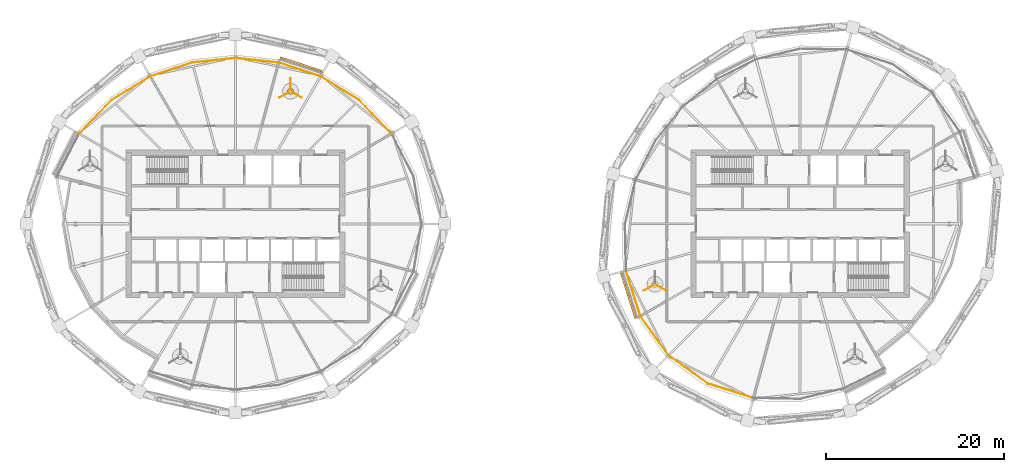
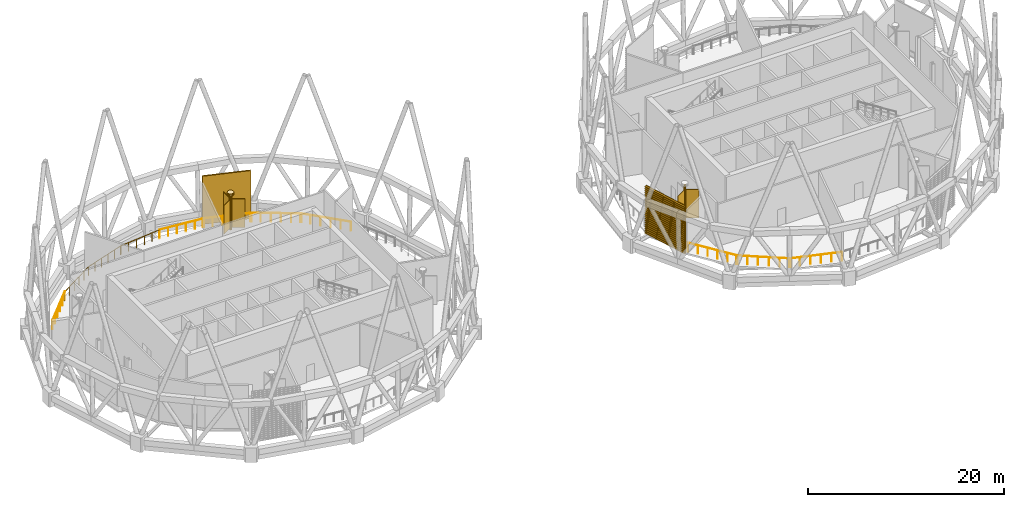
# One storey, part 18 of 22: 12 railings, 8 coverings, 2 shading devices.
"""IFC4 building model written with IfcOpenShell, lengths in metres."""

from ifc_helpers import new_model, si_unit, direction, frame, origin, origin_2d, place, context, subcontext, project, spatial, polyline, circle, outline, extrude, material, material_profile, profile_set, type_object, element, save


model = new_model("IFC4")

# Units and contexts
model_context = context("Model", 3, precision=1e-05, world=origin(), true_north=direction((0.0, 1.0)))
body_context = subcontext(model_context, "Body", "Model", "MODEL_VIEW")
ifc_project = project(units=[si_unit("LENGTHUNIT", "METRE"), si_unit("AREAUNIT", "SQUARE_METRE"), si_unit("VOLUMEUNIT", "CUBIC_METRE"), si_unit("PLANEANGLEUNIT", "RADIAN"), si_unit("MASSUNIT", "GRAM", prefix="KILO")], contexts=[model_context])

# Site, building, storey
site_placement = place(None, origin())
site = spatial("IfcSite", under=ifc_project, at=site_placement, CompositionType="ELEMENT")
building_placement = place(site_placement, origin())
building = spatial("IfcBuilding", under=site, at=building_placement, Name="Rimbun Link Towers", CompositionType="ELEMENT")
storey_placement = place(building_placement, frame((0.0, 0.0, 204.5)))
storey = spatial("IfcBuildingStorey", under=building, at=storey_placement, Name="L50", CompositionType="ELEMENT", Elevation=204.5)

# Railings
ifc_material_1 = material(Name="Stainless steel grade 316", Category="steel")
railing_type = type_object("IfcRailingType", Name="GUARD stainless rail and posts", PredefinedType="GUARDRAIL", material=ifc_material_1)
railing_1_placement = place(storey_placement, frame((-17.860595703125, 13.954833984375, 0.0)))
element("IfcRailing", 1, at=railing_1_placement, inside=storey, type_object=railing_type, Name="GUARD open storey edge", PredefinedType="GUARDRAIL", context=body_context, shape_type="SweptSolid", body=[
    extrude(circle(Radius=0.02392578125, at=origin_2d()), frame((0.0, 0.0, 1.076171875), z_axis=(0.692067218589, -0.721833058923, 0.0), x_axis=(0.721833058923, 0.692067218589, 0.0)), (0.0, 0.0, 1.0), 5.339599609375),
    extrude(circle(Radius=0.02099609375, at=origin_2d()), origin(), (0.0, 0.0, 1.0), 1.052001953125),
    extrude(circle(Radius=0.02099609375, at=origin_2d()), frame((0.739013671875, -0.770751953125, 0.0)), (0.0, 0.0, 1.0), 1.052001953125),
    extrude(circle(Radius=0.02099609375, at=origin_2d()), frame((1.47802734375, -1.541748046875, 0.0)), (0.0, 0.0, 1.0), 1.052001953125),
    extrude(circle(Radius=0.02099609375, at=origin_2d()), frame((2.21728515625, -2.3125, 0.0)), (0.0, 0.0, 1.0), 1.052001953125),
    extrude(circle(Radius=0.02099609375, at=origin_2d()), frame((2.956298828125, -3.08349609375, 0.0)), (0.0, 0.0, 1.0), 1.052001953125),
    extrude(circle(Radius=0.02099609375, at=origin_2d()), frame((3.6953125, -3.854248046875, 0.0)), (0.0, 0.0, 1.0), 1.052001953125),
])
railing_2_placement = place(storey_placement, frame((-22.216796875, 16.6044921875, 0.0)))
element("IfcRailing", 2, at=railing_2_placement, inside=storey, type_object=railing_type, Name="GUARD open storey edge", PredefinedType="GUARDRAIL", context=body_context, shape_type="SweptSolid", body=[
    extrude(circle(Radius=0.02392578125, at=origin_2d()), frame((0.0, 0.0, 1.076171875), z_axis=(0.852178220995, -0.523251640859, 0.0), x_axis=(0.523251640859, 0.852178220995, 0.0)), (0.0, 0.0, 1.0), 5.1875),
    extrude(circle(Radius=0.02099609375, at=origin_2d()), origin(), (0.0, 0.0, 1.0), 1.052001953125),
    extrude(circle(Radius=0.02099609375, at=origin_2d()), frame((0.884033203125, -0.54296875, 0.0)), (0.0, 0.0, 1.0), 1.052001953125),
    extrude(circle(Radius=0.02099609375, at=origin_2d()), frame((1.768310546875, -1.085693359375, 0.0)), (0.0, 0.0, 1.0), 1.052001953125),
    extrude(circle(Radius=0.02099609375, at=origin_2d()), frame((2.65234375, -1.628662109375, 0.0)), (0.0, 0.0, 1.0), 1.052001953125),
    extrude(circle(Radius=0.02099609375, at=origin_2d()), frame((3.53662109375, -2.17138671875, 0.0)), (0.0, 0.0, 1.0), 1.052001953125),
    extrude(circle(Radius=0.02099609375, at=origin_2d()), frame((4.420654296875, -2.71435546875, 0.0)), (0.0, 0.0, 1.0), 1.052001953125),
])
railing_3_placement = place(storey_placement, frame((-31.7958984375, 18.645751953125, 0.0)))
element("IfcRailing", 3, at=railing_3_placement, inside=storey, type_object=railing_type, Name="GUARD open storey edge", PredefinedType="GUARDRAIL", context=body_context, shape_type="SweptSolid", body=[
    extrude(circle(Radius=0.02392578125, at=origin_2d()), frame((0.0, 0.0, 1.076171875), z_axis=(0.994500344599, -0.104733302211, 0.0), x_axis=(0.104733302211, 0.994500344599, 0.0)), (0.0, 0.0, 1.0), 4.976806640625),
    extrude(circle(Radius=0.02099609375, at=origin_2d()), origin(), (0.0, 0.0, 1.0), 1.052001953125),
    extrude(circle(Radius=0.02099609375, at=origin_2d()), frame((0.989990234375, -0.104248046875, 0.0)), (0.0, 0.0, 1.0), 1.052001953125),
    extrude(circle(Radius=0.02099609375, at=origin_2d()), frame((1.979736328125, -0.20849609375, 0.0)), (0.0, 0.0, 1.0), 1.052001953125),
    extrude(circle(Radius=0.02099609375, at=origin_2d()), frame((2.9697265625, -0.312744140625, 0.0)), (0.0, 0.0, 1.0), 1.052001953125),
    extrude(circle(Radius=0.02099609375, at=origin_2d()), frame((3.95947265625, -0.4169921875, 0.0)), (0.0, 0.0, 1.0), 1.052001953125),
    extrude(circle(Radius=0.02099609375, at=origin_2d()), frame((4.949462890625, -0.521240234375, 0.0)), (0.0, 0.0, 1.0), 1.052001953125),
])
railing_4_placement = place(storey_placement, frame((-36.653564453125, 18.12451171875, 0.0)))
element("IfcRailing", 4, at=railing_4_placement, inside=storey, type_object=railing_type, Name="GUARD open storey edge", PredefinedType="GUARDRAIL", context=body_context, shape_type="SweptSolid", body=[
    extrude(circle(Radius=0.02392578125, at=origin_2d()), frame((0.0, 0.0, 1.076171875), z_axis=(0.994500344599, 0.104733302211, 0.0), x_axis=(-0.104733302211, 0.994500344599, 0.0)), (0.0, 0.0, 1.0), 4.976806640625),
    extrude(circle(Radius=0.02099609375, at=origin_2d()), origin(), (0.0, 0.0, 1.0), 1.052001953125),
    extrude(circle(Radius=0.02099609375, at=origin_2d()), frame((0.989990234375, 0.104248046875, 0.0)), (0.0, 0.0, 1.0), 1.052001953125),
    extrude(circle(Radius=0.02099609375, at=origin_2d()), frame((1.979736328125, 0.20849609375, 0.0)), (0.0, 0.0, 1.0), 1.052001953125),
    extrude(circle(Radius=0.02099609375, at=origin_2d()), frame((2.9697265625, 0.312744140625, 0.0)), (0.0, 0.0, 1.0), 1.052001953125),
    extrude(circle(Radius=0.02099609375, at=origin_2d()), frame((3.95947265625, 0.4169921875, 0.0)), (0.0, 0.0, 1.0), 1.052001953125),
    extrude(circle(Radius=0.02099609375, at=origin_2d()), frame((4.949462890625, 0.521240234375, 0.0)), (0.0, 0.0, 1.0), 1.052001953125),
])
railing_5_placement = place(storey_placement, frame((-41.3623046875, 16.55859375, 0.0)))
element("IfcRailing", 5, at=railing_5_placement, inside=storey, type_object=railing_type, Name="GUARD open storey edge", PredefinedType="GUARDRAIL", context=body_context, shape_type="SweptSolid", body=[
    extrude(circle(Radius=0.02392578125, at=origin_2d()), frame((0.0, 0.0, 1.076171875), z_axis=(0.949246983251, 0.314531659438, 0.0), x_axis=(-0.314531659438, 0.949246983251, 0.0)), (0.0, 0.0, 1.0), 5.053955078125),
    extrude(circle(Radius=0.02099609375, at=origin_2d()), origin(), (0.0, 0.0, 1.0), 1.052001953125),
    extrude(circle(Radius=0.02099609375, at=origin_2d()), frame((0.95947265625, 0.31787109375, 0.0)), (0.0, 0.0, 1.0), 1.052001953125),
    extrude(circle(Radius=0.02099609375, at=origin_2d()), frame((1.9189453125, 0.6357421875, 0.0)), (0.0, 0.0, 1.0), 1.052001953125),
    extrude(circle(Radius=0.02099609375, at=origin_2d()), frame((2.87841796875, 0.953857421875, 0.0)), (0.0, 0.0, 1.0), 1.052001953125),
    extrude(circle(Radius=0.02099609375, at=origin_2d()), frame((3.837890625, 1.271728515625, 0.0)), (0.0, 0.0, 1.0), 1.052001953125),
    extrude(circle(Radius=0.02099609375, at=origin_2d()), frame((4.79736328125, 1.589599609375, 0.0)), (0.0, 0.0, 1.0), 1.052001953125),
])
railing_6_placement = place(storey_placement, frame((-45.703857421875, 13.89013671875, 0.0)))
element("IfcRailing", 6, at=railing_6_placement, inside=storey, type_object=railing_type, Name="GUARD open storey edge", PredefinedType="GUARDRAIL", context=body_context, shape_type="SweptSolid", body=[
    extrude(circle(Radius=0.02392578125, at=origin_2d()), frame((0.0, 0.0, 1.076171875), z_axis=(0.852178220995, 0.523251640859, 0.0), x_axis=(-0.523251640859, 0.852178220995, 0.0)), (0.0, 0.0, 1.0), 5.1875),
    extrude(circle(Radius=0.02099609375, at=origin_2d()), origin(), (0.0, 0.0, 1.0), 1.052001953125),
    extrude(circle(Radius=0.02099609375, at=origin_2d()), frame((0.884033203125, 0.54296875, 0.0)), (0.0, 0.0, 1.0), 1.052001953125),
    extrude(circle(Radius=0.02099609375, at=origin_2d()), frame((1.768310546875, 1.085693359375, 0.0)), (0.0, 0.0, 1.0), 1.052001953125),
    extrude(circle(Radius=0.02099609375, at=origin_2d()), frame((2.65234375, 1.628662109375, 0.0)), (0.0, 0.0, 1.0), 1.052001953125),
    extrude(circle(Radius=0.02099609375, at=origin_2d()), frame((3.53662109375, 2.17138671875, 0.0)), (0.0, 0.0, 1.0), 1.052001953125),
    extrude(circle(Radius=0.02099609375, at=origin_2d()), frame((4.420654296875, 2.71435546875, 0.0)), (0.0, 0.0, 1.0), 1.052001953125),
])
railing_7_placement = place(storey_placement, frame((-49.334716796875, 10.1005859375, 0.0)))
element("IfcRailing", 7, at=railing_7_placement, inside=storey, type_object=railing_type, Name="GUARD open storey edge", PredefinedType="GUARDRAIL", context=body_context, shape_type="SweptSolid", body=[
    extrude(circle(Radius=0.02392578125, at=origin_2d()), frame((0.0, 0.0, 1.076171875), z_axis=(0.692067218589, 0.721833058923, 0.0), x_axis=(-0.721833058923, 0.692067218589, 0.0)), (0.0, 0.0, 1.0), 5.339599609375),
    extrude(circle(Radius=0.02099609375, at=origin_2d()), origin(), (0.0, 0.0, 1.0), 1.052001953125),
    extrude(circle(Radius=0.02099609375, at=origin_2d()), frame((0.739013671875, 0.770751953125, 0.0)), (0.0, 0.0, 1.0), 1.052001953125),
    extrude(circle(Radius=0.02099609375, at=origin_2d()), frame((1.47802734375, 1.541748046875, 0.0)), (0.0, 0.0, 1.0), 1.052001953125),
    extrude(circle(Radius=0.02099609375, at=origin_2d()), frame((2.21728515625, 2.3125, 0.0)), (0.0, 0.0, 1.0), 1.052001953125),
    extrude(circle(Radius=0.02099609375, at=origin_2d()), frame((2.956298828125, 3.08349609375, 0.0)), (0.0, 0.0, 1.0), 1.052001953125),
    extrude(circle(Radius=0.02099609375, at=origin_2d()), frame((3.6953125, 3.854248046875, 0.0)), (0.0, 0.0, 1.0), 1.052001953125),
])
railing_8_placement = place(storey_placement, frame((-26.93505859375, 18.148193359375, 0.0)))
element("IfcRailing", 8, at=railing_8_placement, inside=storey, type_object=railing_type, Name="GUARD slot edge", PredefinedType="GUARDRAIL", context=body_context, shape_type="SweptSolid", body=[
    extrude(circle(Radius=0.02392578125, at=origin_2d()), frame((0.0, 0.0, 1.076171875), z_axis=(0.949246983251, -0.314531659438, 0.0), x_axis=(0.314531659438, 0.949246983251, 0.0)), (0.0, 0.0, 1.0), 5.053955078125),
    extrude(circle(Radius=0.02099609375, at=origin_2d()), origin(), (0.0, 0.0, 1.0), 1.052001953125),
    extrude(circle(Radius=0.02099609375, at=origin_2d()), frame((0.95947265625, -0.31787109375, 0.0)), (0.0, 0.0, 1.0), 1.052001953125),
    extrude(circle(Radius=0.02099609375, at=origin_2d()), frame((1.9189453125, -0.6357421875, 0.0)), (0.0, 0.0, 1.0), 1.052001953125),
    extrude(circle(Radius=0.02099609375, at=origin_2d()), frame((2.87841796875, -0.953857421875, 0.0)), (0.0, 0.0, 1.0), 1.052001953125),
    extrude(circle(Radius=0.02099609375, at=origin_2d()), frame((3.837890625, -1.271728515625, 0.0)), (0.0, 0.0, 1.0), 1.052001953125),
    extrude(circle(Radius=0.02099609375, at=origin_2d()), frame((4.79736328125, -1.589599609375, 0.0)), (0.0, 0.0, 1.0), 1.052001953125),
])
railing_9_placement = place(storey_placement, frame((16.986083984375, -14.828369140625, 0.0)))
element("IfcRailing", 9, at=railing_9_placement, inside=storey, type_object=railing_type, Name="GUARD open storey edge", PredefinedType="GUARDRAIL", context=body_context, shape_type="SweptSolid", body=[
    extrude(circle(Radius=0.02392578125, at=origin_2d()), frame((0.0, 0.0, 1.076171875), z_axis=(-0.583006671691, 0.812467365968, 0.0), x_axis=(-0.812467365968, -0.583006671691, 0.0)), (0.0, 0.0, 1.0), 5.53271484375),
    extrude(circle(Radius=0.02099609375, at=origin_2d()), origin(), (0.0, 0.0, 1.0), 1.052001953125),
    extrude(circle(Radius=0.02099609375, at=origin_2d()), frame((-0.64501953125, 0.89892578125, 0.0)), (0.0, 0.0, 1.0), 1.052001953125),
    extrude(circle(Radius=0.02099609375, at=origin_2d()), frame((-1.290283203125, 1.798095703125, 0.0)), (0.0, 0.0, 1.0), 1.052001953125),
    extrude(circle(Radius=0.02099609375, at=origin_2d()), frame((-1.935302734375, 2.697021484375, 0.0)), (0.0, 0.0, 1.0), 1.052001953125),
    extrude(circle(Radius=0.02099609375, at=origin_2d()), frame((-2.58056640625, 3.59619140625, 0.0)), (0.0, 0.0, 1.0), 1.052001953125),
    extrude(circle(Radius=0.02099609375, at=origin_2d()), frame((-3.2255859375, 4.4951171875, 0.0)), (0.0, 0.0, 1.0), 1.052001953125),
])
railing_10_placement = place(storey_placement, frame((21.416748046875, -17.989501953125, 0.0)))
element("IfcRailing", 10, at=railing_10_placement, inside=storey, type_object=railing_type, Name="GUARD open storey edge", PredefinedType="GUARDRAIL", context=body_context, shape_type="SweptSolid", body=[
    extrude(circle(Radius=0.02392578125, at=origin_2d()), frame((0.0, 0.0, 1.076171875), z_axis=(-0.812467365968, 0.583006671691, 0.0), x_axis=(-0.583006671691, -0.812467365968, 0.0)), (0.0, 0.0, 1.0), 5.53271484375),
    extrude(circle(Radius=0.02099609375, at=origin_2d()), origin(), (0.0, 0.0, 1.0), 1.052001953125),
    extrude(circle(Radius=0.02099609375, at=origin_2d()), frame((-0.89892578125, 0.64501953125, 0.0)), (0.0, 0.0, 1.0), 1.052001953125),
    extrude(circle(Radius=0.02099609375, at=origin_2d()), frame((-1.798095703125, 1.290283203125, 0.0)), (0.0, 0.0, 1.0), 1.052001953125),
    extrude(circle(Radius=0.02099609375, at=origin_2d()), frame((-2.697021484375, 1.935302734375, 0.0)), (0.0, 0.0, 1.0), 1.052001953125),
    extrude(circle(Radius=0.02099609375, at=origin_2d()), frame((-3.59619140625, 2.58056640625, 0.0)), (0.0, 0.0, 1.0), 1.052001953125),
    extrude(circle(Radius=0.02099609375, at=origin_2d()), frame((-4.4951171875, 3.2255859375, 0.0)), (0.0, 0.0, 1.0), 1.052001953125),
])
railing_11_placement = place(storey_placement, frame((26.5458984375, -19.60009765625, 0.0)))
element("IfcRailing", 11, at=railing_11_placement, inside=storey, type_object=railing_type, Name="GUARD open storey edge", PredefinedType="GUARDRAIL", context=body_context, shape_type="SweptSolid", body=[
    extrude(circle(Radius=0.02392578125, at=origin_2d()), frame((0.0, 0.0, 1.076171875), z_axis=(-0.952966255781, 0.303076418322, 0.0), x_axis=(-0.303076418322, -0.952966255781, 0.0)), (0.0, 0.0, 1.0), 5.46484375),
    extrude(circle(Radius=0.02099609375, at=origin_2d()), origin(), (0.0, 0.0, 1.0), 1.052001953125),
    extrude(circle(Radius=0.02099609375, at=origin_2d()), frame((-1.04150390625, 0.331298828125, 0.0)), (0.0, 0.0, 1.0), 1.052001953125),
    extrude(circle(Radius=0.02099609375, at=origin_2d()), frame((-2.0830078125, 0.66259765625, 0.0)), (0.0, 0.0, 1.0), 1.052001953125),
    extrude(circle(Radius=0.02099609375, at=origin_2d()), frame((-3.124755859375, 0.99365234375, 0.0)), (0.0, 0.0, 1.0), 1.052001953125),
    extrude(circle(Radius=0.02099609375, at=origin_2d()), frame((-4.166259765625, 1.324951171875, 0.0)), (0.0, 0.0, 1.0), 1.052001953125),
    extrude(circle(Radius=0.02099609375, at=origin_2d()), frame((-5.207763671875, 1.65625, 0.0)), (0.0, 0.0, 1.0), 1.052001953125),
])
railing_12_placement = place(storey_placement, frame((13.80615234375, -10.411865234375, 0.0)))
element("IfcRailing", 12, at=railing_12_placement, inside=storey, type_object=railing_type, Name="GUARD slot edge", PredefinedType="GUARDRAIL", context=body_context, shape_type="SweptSolid", body=[
    extrude(circle(Radius=0.02392578125, at=origin_2d()), frame((0.0, 0.0, 1.076171875), z_axis=(-0.303076418322, 0.952966255781, 0.0), x_axis=(-0.952966255781, -0.303076418322, 0.0)), (0.0, 0.0, 1.0), 5.46484375),
    extrude(circle(Radius=0.02099609375, at=origin_2d()), origin(), (0.0, 0.0, 1.0), 1.052001953125),
    extrude(circle(Radius=0.02099609375, at=origin_2d()), frame((-0.331298828125, 1.04150390625, 0.0)), (0.0, 0.0, 1.0), 1.052001953125),
    extrude(circle(Radius=0.02099609375, at=origin_2d()), frame((-0.66259765625, 2.0830078125, 0.0)), (0.0, 0.0, 1.0), 1.052001953125),
    extrude(circle(Radius=0.02099609375, at=origin_2d()), frame((-0.99365234375, 3.124755859375, 0.0)), (0.0, 0.0, 1.0), 1.052001953125),
    extrude(circle(Radius=0.02099609375, at=origin_2d()), frame((-1.324951171875, 4.166259765625, 0.0)), (0.0, 0.0, 1.0), 1.052001953125),
    extrude(circle(Radius=0.02099609375, at=origin_2d()), frame((-1.65625, 5.207763671875, 0.0)), (0.0, 0.0, 1.0), 1.052001953125),
])

# Shading devices
ifc_material_2 = material(Name="Aluminium 6063-T6", Category="aluminium")
ifc_material_profile = material_profile(ifc_material_2, outline(polyline([(0.123046875, 0.0), (0.1630859375, 0.0), (0.1630859375, 0.10009765625), (0.363037109375, 0.10009765625), (0.363037109375, 0.199951171875), (0.1630859375, 0.199951171875), (0.1630859375, 0.35009765625), (0.363037109375, 0.35009765625), (0.363037109375, 0.449951171875), (0.1630859375, 0.449951171875), (0.1630859375, 0.60009765625), (0.363037109375, 0.60009765625), (0.363037109375, 0.699951171875), (0.1630859375, 0.699951171875), (0.1630859375, 0.85009765625), (0.363037109375, 0.85009765625), (0.363037109375, 0.949951171875), (0.1630859375, 0.949951171875), (0.1630859375, 1.10009765625), (0.363037109375, 1.10009765625), (0.363037109375, 1.199951171875), (0.1630859375, 1.199951171875), (0.1630859375, 1.35009765625), (0.363037109375, 1.35009765625), (0.363037109375, 1.449951171875), (0.1630859375, 1.449951171875), (0.1630859375, 1.60009765625), (0.363037109375, 1.60009765625), (0.363037109375, 1.699951171875), (0.1630859375, 1.699951171875), (0.1630859375, 1.85009765625), (0.363037109375, 1.85009765625), (0.363037109375, 1.949951171875), (0.1630859375, 1.949951171875), (0.1630859375, 2.10009765625), (0.363037109375, 2.10009765625), (0.363037109375, 2.199951171875), (0.1630859375, 2.199951171875), (0.1630859375, 2.35009765625), (0.363037109375, 2.35009765625), (0.363037109375, 2.449951171875), (0.1630859375, 2.449951171875), (0.1630859375, 2.60009765625), (0.363037109375, 2.60009765625), (0.363037109375, 2.699951171875), (0.1630859375, 2.699951171875), (0.1630859375, 2.85009765625), (0.363037109375, 2.85009765625), (0.363037109375, 2.949951171875), (0.1630859375, 2.949951171875), (0.1630859375, 3.10009765625), (0.363037109375, 3.10009765625), (0.363037109375, 3.199951171875), (0.1630859375, 3.199951171875), (0.1630859375, 3.35009765625), (0.363037109375, 3.35009765625), (0.363037109375, 3.449951171875), (0.1630859375, 3.449951171875), (0.1630859375, 3.60009765625), (0.363037109375, 3.60009765625), (0.363037109375, 3.699951171875), (0.1630859375, 3.699951171875), (0.1630859375, 3.85009765625), (0.363037109375, 3.85009765625), (0.363037109375, 3.949951171875), (0.1630859375, 3.949951171875), (0.1630859375, 4.10009765625), (0.363037109375, 4.10009765625), (0.363037109375, 4.199951171875), (0.1630859375, 4.199951171875), (0.1630859375, 4.35009765625), (0.363037109375, 4.35009765625), (0.363037109375, 4.449951171875), (0.1630859375, 4.449951171875), (0.1630859375, 4.60009765625), (0.363037109375, 4.60009765625), (0.363037109375, 4.699951171875), (0.1630859375, 4.699951171875), (0.1630859375, 4.85009765625), (0.363037109375, 4.85009765625), (0.363037109375, 4.949951171875), (0.1630859375, 4.949951171875), (0.1630859375, 5.10009765625), (0.363037109375, 5.10009765625), (0.363037109375, 5.199951171875), (0.1630859375, 5.199951171875), (0.1630859375, 5.35009765625), (0.363037109375, 5.35009765625), (0.363037109375, 5.449951171875), (0.1630859375, 5.449951171875), (0.1630859375, 5.60009765625), (0.363037109375, 5.60009765625), (0.363037109375, 5.699951171875), (0.1630859375, 5.699951171875), (0.1630859375, 5.85009765625), (0.363037109375, 5.85009765625), (0.363037109375, 5.949951171875), (0.1630859375, 5.949951171875), (0.1630859375, 6.0), (0.123046875, 6.0), (0.123046875, 0.0)])), Name="LOUVRE BLADES 100X240")
ifc_profile_set = profile_set([ifc_material_profile], Name="Aluminium 6063-T6")
shading_device_type = type_object("IfcShadingDeviceType", Name="LOUVRE SLOT BLADES 100X240 H6000", PredefinedType="JALOUSIE", material=ifc_profile_set)
shading_device_1_placement = place(storey_placement, frame((-26.800537109375, 18.471435546875, 0.0), z_axis=(0.949227778646, -0.314589612425, 0.0), x_axis=(0.314589612425, 0.949227778646, 0.0)))
element("IfcShadingDevice", 13, at=shading_device_1_placement, inside=storey, type_object=shading_device_type, Name="LOUVRE slot blades", PredefinedType="JALOUSIE", context=body_context, shape_type="SweptSolid", body=[
    extrude(outline(polyline([(0.123046875, 0.0), (0.1630859375, 0.0), (0.1630859375, 0.10009765625), (0.363037109375, 0.10009765625), (0.363037109375, 0.199951171875), (0.1630859375, 0.199951171875), (0.1630859375, 0.35009765625), (0.363037109375, 0.35009765625), (0.363037109375, 0.449951171875), (0.1630859375, 0.449951171875), (0.1630859375, 0.60009765625), (0.363037109375, 0.60009765625), (0.363037109375, 0.699951171875), (0.1630859375, 0.699951171875), (0.1630859375, 0.85009765625), (0.363037109375, 0.85009765625), (0.363037109375, 0.949951171875), (0.1630859375, 0.949951171875), (0.1630859375, 1.10009765625), (0.363037109375, 1.10009765625), (0.363037109375, 1.199951171875), (0.1630859375, 1.199951171875), (0.1630859375, 1.35009765625), (0.363037109375, 1.35009765625), (0.363037109375, 1.449951171875), (0.1630859375, 1.449951171875), (0.1630859375, 1.60009765625), (0.363037109375, 1.60009765625), (0.363037109375, 1.699951171875), (0.1630859375, 1.699951171875), (0.1630859375, 1.85009765625), (0.363037109375, 1.85009765625), (0.363037109375, 1.949951171875), (0.1630859375, 1.949951171875), (0.1630859375, 2.10009765625), (0.363037109375, 2.10009765625), (0.363037109375, 2.199951171875), (0.1630859375, 2.199951171875), (0.1630859375, 2.35009765625), (0.363037109375, 2.35009765625), (0.363037109375, 2.449951171875), (0.1630859375, 2.449951171875), (0.1630859375, 2.60009765625), (0.363037109375, 2.60009765625), (0.363037109375, 2.699951171875), (0.1630859375, 2.699951171875), (0.1630859375, 2.85009765625), (0.363037109375, 2.85009765625), (0.363037109375, 2.949951171875), (0.1630859375, 2.949951171875), (0.1630859375, 3.10009765625), (0.363037109375, 3.10009765625), (0.363037109375, 3.199951171875), (0.1630859375, 3.199951171875), (0.1630859375, 3.35009765625), (0.363037109375, 3.35009765625), (0.363037109375, 3.449951171875), (0.1630859375, 3.449951171875), (0.1630859375, 3.60009765625), (0.363037109375, 3.60009765625), (0.363037109375, 3.699951171875), (0.1630859375, 3.699951171875), (0.1630859375, 3.85009765625), (0.363037109375, 3.85009765625), (0.363037109375, 3.949951171875), (0.1630859375, 3.949951171875), (0.1630859375, 4.10009765625), (0.363037109375, 4.10009765625), (0.363037109375, 4.199951171875), (0.1630859375, 4.199951171875), (0.1630859375, 4.35009765625), (0.363037109375, 4.35009765625), (0.363037109375, 4.449951171875), (0.1630859375, 4.449951171875), (0.1630859375, 4.60009765625), (0.363037109375, 4.60009765625), (0.363037109375, 4.699951171875), (0.1630859375, 4.699951171875), (0.1630859375, 4.85009765625), (0.363037109375, 4.85009765625), (0.363037109375, 4.949951171875), (0.1630859375, 4.949951171875), (0.1630859375, 5.10009765625), (0.363037109375, 5.10009765625), (0.363037109375, 5.199951171875), (0.1630859375, 5.199951171875), (0.1630859375, 5.35009765625), (0.363037109375, 5.35009765625), (0.363037109375, 5.449951171875), (0.1630859375, 5.449951171875), (0.1630859375, 5.60009765625), (0.363037109375, 5.60009765625), (0.363037109375, 5.699951171875), (0.1630859375, 5.699951171875), (0.1630859375, 5.85009765625), (0.363037109375, 5.85009765625), (0.363037109375, 5.949951171875), (0.1630859375, 5.949951171875), (0.1630859375, 6.0), (0.123046875, 6.0), (0.123046875, 0.0)])), origin(), (0.0, 0.0, 1.0), 5.0537109375),
])
shading_device_2_placement = place(storey_placement, frame((13.48291015625, -10.54638671875, 0.0), z_axis=(-0.303022944713, 0.952983260597, 0.0), x_axis=(-0.952983260597, -0.303022944713, 0.0)))
element("IfcShadingDevice", 14, at=shading_device_2_placement, inside=storey, type_object=shading_device_type, Name="LOUVRE slot blades", PredefinedType="JALOUSIE", context=body_context, shape_type="SweptSolid", body=[
    extrude(outline(polyline([(0.123046875, 0.0), (0.1630859375, 0.0), (0.1630859375, 0.10009765625), (0.363037109375, 0.10009765625), (0.363037109375, 0.199951171875), (0.1630859375, 0.199951171875), (0.1630859375, 0.35009765625), (0.363037109375, 0.35009765625), (0.363037109375, 0.449951171875), (0.1630859375, 0.449951171875), (0.1630859375, 0.60009765625), (0.363037109375, 0.60009765625), (0.363037109375, 0.699951171875), (0.1630859375, 0.699951171875), (0.1630859375, 0.85009765625), (0.363037109375, 0.85009765625), (0.363037109375, 0.949951171875), (0.1630859375, 0.949951171875), (0.1630859375, 1.10009765625), (0.363037109375, 1.10009765625), (0.363037109375, 1.199951171875), (0.1630859375, 1.199951171875), (0.1630859375, 1.35009765625), (0.363037109375, 1.35009765625), (0.363037109375, 1.449951171875), (0.1630859375, 1.449951171875), (0.1630859375, 1.60009765625), (0.363037109375, 1.60009765625), (0.363037109375, 1.699951171875), (0.1630859375, 1.699951171875), (0.1630859375, 1.85009765625), (0.363037109375, 1.85009765625), (0.363037109375, 1.949951171875), (0.1630859375, 1.949951171875), (0.1630859375, 2.10009765625), (0.363037109375, 2.10009765625), (0.363037109375, 2.199951171875), (0.1630859375, 2.199951171875), (0.1630859375, 2.35009765625), (0.363037109375, 2.35009765625), (0.363037109375, 2.449951171875), (0.1630859375, 2.449951171875), (0.1630859375, 2.60009765625), (0.363037109375, 2.60009765625), (0.363037109375, 2.699951171875), (0.1630859375, 2.699951171875), (0.1630859375, 2.85009765625), (0.363037109375, 2.85009765625), (0.363037109375, 2.949951171875), (0.1630859375, 2.949951171875), (0.1630859375, 3.10009765625), (0.363037109375, 3.10009765625), (0.363037109375, 3.199951171875), (0.1630859375, 3.199951171875), (0.1630859375, 3.35009765625), (0.363037109375, 3.35009765625), (0.363037109375, 3.449951171875), (0.1630859375, 3.449951171875), (0.1630859375, 3.60009765625), (0.363037109375, 3.60009765625), (0.363037109375, 3.699951171875), (0.1630859375, 3.699951171875), (0.1630859375, 3.85009765625), (0.363037109375, 3.85009765625), (0.363037109375, 3.949951171875), (0.1630859375, 3.949951171875), (0.1630859375, 4.10009765625), (0.363037109375, 4.10009765625), (0.363037109375, 4.199951171875), (0.1630859375, 4.199951171875), (0.1630859375, 4.35009765625), (0.363037109375, 4.35009765625), (0.363037109375, 4.449951171875), (0.1630859375, 4.449951171875), (0.1630859375, 4.60009765625), (0.363037109375, 4.60009765625), (0.363037109375, 4.699951171875), (0.1630859375, 4.699951171875), (0.1630859375, 4.85009765625), (0.363037109375, 4.85009765625), (0.363037109375, 4.949951171875), (0.1630859375, 4.949951171875), (0.1630859375, 5.10009765625), (0.363037109375, 5.10009765625), (0.363037109375, 5.199951171875), (0.1630859375, 5.199951171875), (0.1630859375, 5.35009765625), (0.363037109375, 5.35009765625), (0.363037109375, 5.449951171875), (0.1630859375, 5.449951171875), (0.1630859375, 5.60009765625), (0.363037109375, 5.60009765625), (0.363037109375, 5.699951171875), (0.1630859375, 5.699951171875), (0.1630859375, 5.85009765625), (0.363037109375, 5.85009765625), (0.363037109375, 5.949951171875), (0.1630859375, 5.949951171875), (0.1630859375, 6.0), (0.123046875, 6.0), (0.123046875, 0.0)])), origin(), (0.0, 0.0, 1.0), 5.46484375),
])

# Coverings
ifc_material_3 = material(Name="Stainless steel grade 316", Category="steel")
covering_type_1 = type_object("IfcCoveringType", Name="WIND TURBINE bearing collar 700X300", PredefinedType="CLADDING", material=ifc_material_3)
covering_1_placement = place(storey_placement, frame((0.0, 0.0, 5.56005859375)))
element("IfcCovering", 15, at=covering_1_placement, inside=storey, type_object=covering_type_1, Name="WIND TURBINE bearing collar", PredefinedType="CLADDING", context=body_context, shape_type="SweptSolid", body=[
    extrude(outline(polyline([(-25.20361328125, 14.906494140625), (-25.22998046875, 15.040283203125), (-25.305908203125, 15.15380859375), (-25.419677734375, 15.229736328125), (-25.553466796875, 15.25634765625), (-25.6875, 15.229736328125), (-25.801025390625, 15.15380859375), (-25.876953125, 15.040283203125), (-25.903564453125, 14.906494140625), (-25.876953125, 14.7724609375), (-25.801025390625, 14.658935546875), (-25.6875, 14.5830078125), (-25.553466796875, 14.556396484375), (-25.419677734375, 14.5830078125), (-25.305908203125, 14.658935546875), (-25.22998046875, 14.7724609375), (-25.20361328125, 14.906494140625)])), origin(), (0.0, 0.0, 1.0), 0.300048828125),
])
ifc_material_4 = material(Name="Aluminium 6063-T6", Category="aluminium")
covering_type_2 = type_object("IfcCoveringType", Name="WIND TURBINE blade 1302X60X3560", PredefinedType="CLADDING", material=ifc_material_4)
covering_2_placement = place(storey_placement, frame((0.0, 0.0, 1.449951171875)))
element("IfcCovering", 16, at=covering_2_placement, inside=storey, type_object=covering_type_2, Name="WIND TURBINE blade", PredefinedType="CLADDING", context=body_context, shape_type="SweptSolid", body=[
    extrude(outline(polyline([(-25.5234375, 15.054443359375), (-25.5234375, 16.3564453125), (-25.58349609375, 16.3564453125), (-25.58349609375, 15.054443359375), (-25.5234375, 15.054443359375)])), origin(), (0.0, 0.0, 1.0), 3.56005859375),
])
covering_3_placement = place(storey_placement, frame((0.0, 0.0, 1.449951171875)))
element("IfcCovering", 17, at=covering_3_placement, inside=storey, type_object=covering_type_2, Name="WIND TURBINE blade", PredefinedType="CLADDING", context=body_context, shape_type="SweptSolid", body=[
    extrude(outline(polyline([(-25.69677734375, 14.8583984375), (-26.82421875, 14.207275390625), (-26.794189453125, 14.155517578125), (-25.666748046875, 14.806396484375), (-25.69677734375, 14.8583984375)])), origin(), (0.0, 0.0, 1.0), 3.56005859375),
])
covering_4_placement = place(storey_placement, frame((0.0, 0.0, 1.449951171875)))
element("IfcCovering", 18, at=covering_4_placement, inside=storey, type_object=covering_type_2, Name="WIND TURBINE blade", PredefinedType="CLADDING", context=body_context, shape_type="SweptSolid", body=[
    extrude(outline(polyline([(-25.4404296875, 14.806396484375), (-24.312744140625, 14.155517578125), (-24.28271484375, 14.207275390625), (-25.410400390625, 14.8583984375), (-25.4404296875, 14.806396484375)])), origin(), (0.0, 0.0, 1.0), 3.56005859375),
])
covering_5_placement = place(storey_placement, frame((0.0, 0.0, 1.449951171875)))
element("IfcCovering", 19, at=covering_5_placement, inside=storey, type_object=covering_type_2, Name="WIND TURBINE blade", PredefinedType="CLADDING", context=body_context, shape_type="SweptSolid", body=[
    extrude(outline(polyline([(15.28173828125, -6.83837890625), (14.154052734375, -7.4892578125), (14.18408203125, -7.541259765625), (15.311767578125, -6.89013671875), (15.28173828125, -6.83837890625)])), origin(), (0.0, 0.0, 1.0), 3.56005859375),
])
covering_6_placement = place(storey_placement, frame((0.0, 0.0, 1.449951171875)))
element("IfcCovering", 20, at=covering_6_placement, inside=storey, type_object=covering_type_2, Name="WIND TURBINE blade", PredefinedType="CLADDING", context=body_context, shape_type="SweptSolid", body=[
    extrude(outline(polyline([(15.5380859375, -6.89013671875), (16.66552734375, -7.541259765625), (16.695556640625, -7.4892578125), (15.568115234375, -6.83837890625), (15.5380859375, -6.89013671875)])), origin(), (0.0, 0.0, 1.0), 3.56005859375),
])
ifc_material_5 = material(Name="Stainless steel grade 316", Category="steel")
covering_type_3 = type_object("IfcCoveringType", Name="WIND TURBINE shaft 300X4360", PredefinedType="CLADDING", material=ifc_material_5)
covering_7_placement = place(storey_placement, frame((0.0, 0.0, 1.199951171875)))
element("IfcCovering", 21, at=covering_7_placement, inside=storey, type_object=covering_type_3, Name="WIND TURBINE shaft", PredefinedType="CLADDING", context=body_context, shape_type="SweptSolid", body=[
    extrude(outline(polyline([(-25.403564453125, 14.906494140625), (-25.414794921875, 14.9638671875), (-25.447509765625, 15.012451171875), (-25.49609375, 15.044921875), (-25.553466796875, 15.056396484375), (-25.61083984375, 15.044921875), (-25.65966796875, 15.012451171875), (-25.692138671875, 14.9638671875), (-25.70361328125, 14.906494140625), (-25.692138671875, 14.84912109375), (-25.65966796875, 14.80029296875), (-25.61083984375, 14.767822265625), (-25.553466796875, 14.75634765625), (-25.49609375, 14.767822265625), (-25.447509765625, 14.80029296875), (-25.414794921875, 14.84912109375), (-25.403564453125, 14.906494140625)])), origin(), (0.0, 0.0, 1.0), 4.360107421875),
])
covering_8_placement = place(storey_placement, frame((0.0, 0.0, 1.199951171875)))
element("IfcCovering", 22, at=covering_8_placement, inside=storey, type_object=covering_type_3, Name="WIND TURBINE shaft", PredefinedType="CLADDING", context=body_context, shape_type="SweptSolid", body=[
    extrude(outline(polyline([(15.57470703125, -6.790283203125), (15.5634765625, -6.73291015625), (15.531005859375, -6.68408203125), (15.482177734375, -6.651611328125), (15.4248046875, -6.640380859375), (15.367431640625, -6.651611328125), (15.31884765625, -6.68408203125), (15.286376953125, -6.73291015625), (15.27490234375, -6.790283203125), (15.286376953125, -6.84765625), (15.31884765625, -6.896240234375), (15.367431640625, -6.928955078125), (15.4248046875, -6.940185546875), (15.482177734375, -6.928955078125), (15.531005859375, -6.896240234375), (15.5634765625, -6.84765625), (15.57470703125, -6.790283203125)])), origin(), (0.0, 0.0, 1.0), 4.360107421875),
])

save(model, "model.ifc")
